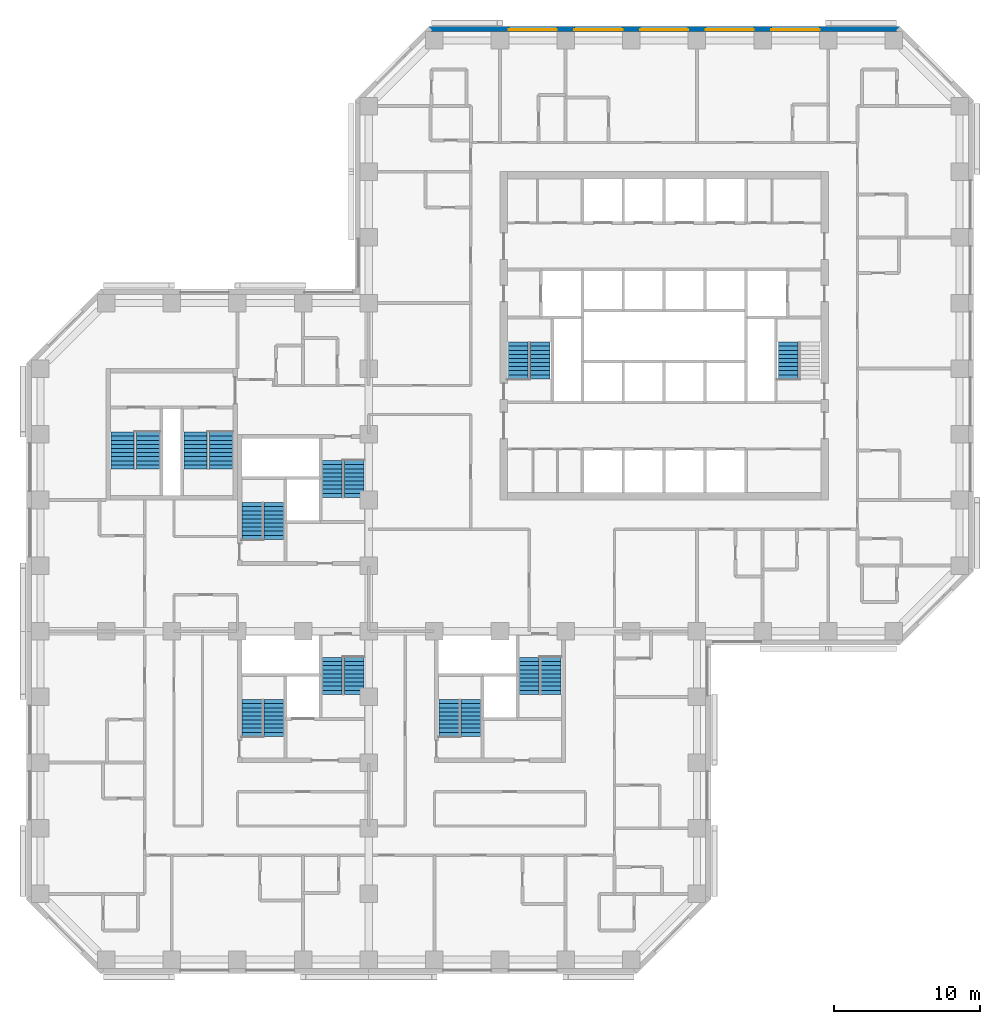
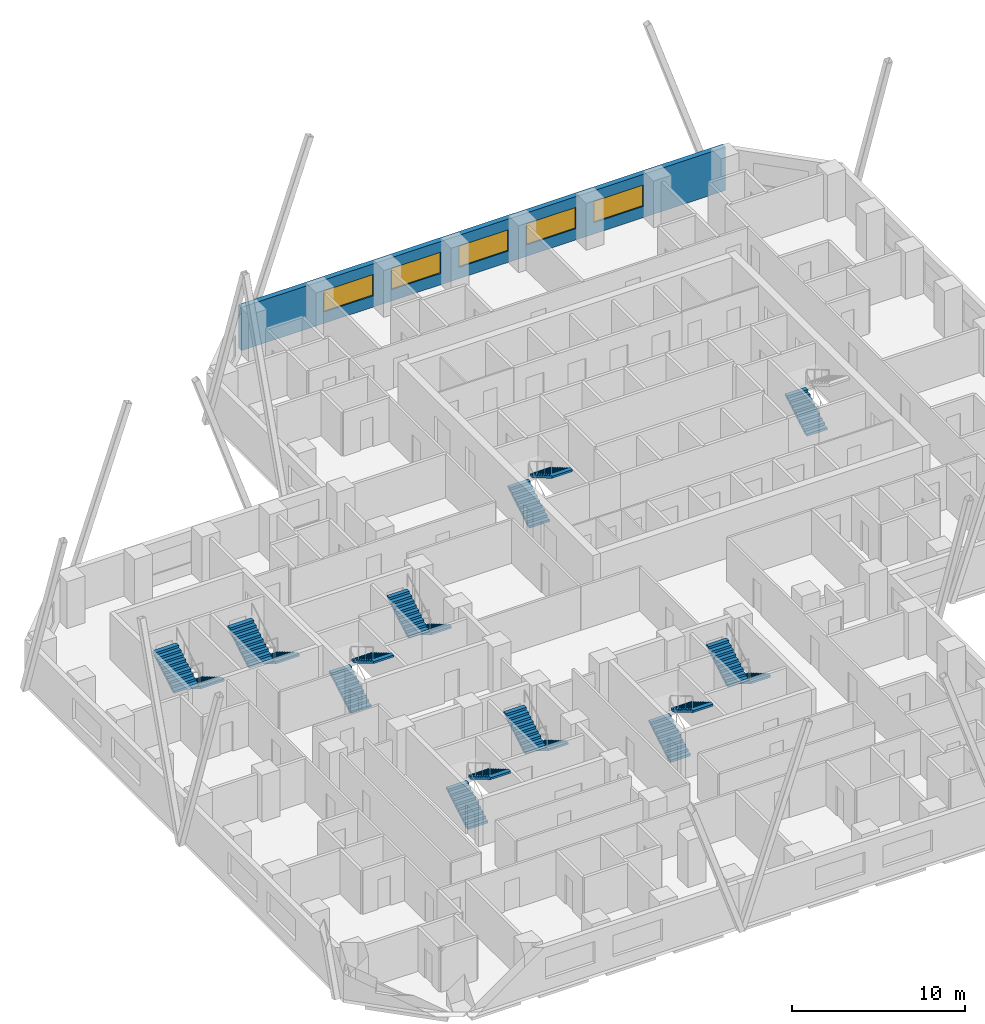
# One storey, part 11 of 13: 19 stair flights, 5 windows, 1 wall, 5 openings, 10 elements without a shape of their own.
"""IFC4 building model written with IfcOpenShell, lengths in metres."""

from ifc_helpers import new_model, si_unit, direction, frame, frame_2d, origin, place, context, subcontext, project, spatial, polyline, rectangle, outline, extrude, material, layer, layer_set, constituent, constituent_set, type_object, element, fill, aggregate, save


model = new_model("IFC4")

# Units and contexts
model_context = context("Model", 3, precision=1e-05, world=origin(), true_north=direction((0.0, 1.0)))
body_context = subcontext(model_context, "Body", "Model", "MODEL_VIEW")
ifc_project = project(units=[si_unit("LENGTHUNIT", "METRE"), si_unit("AREAUNIT", "SQUARE_METRE"), si_unit("VOLUMEUNIT", "CUBIC_METRE"), si_unit("PLANEANGLEUNIT", "RADIAN"), si_unit("MASSUNIT", "GRAM", prefix="KILO")], contexts=[model_context])

# Site, building, storey
site_placement = place(None, origin())
site = spatial("IfcSite", under=ifc_project, at=site_placement, CompositionType="ELEMENT")
building_placement = place(site_placement, origin())
building = spatial("IfcBuilding", under=site, at=building_placement, Name="Quoin Convention Tower", CompositionType="ELEMENT")
storey_placement = place(building_placement, frame((0.0, 0.0, 39.60009765625)))
storey = spatial("IfcBuildingStorey", under=building, at=storey_placement, Name="L09", CompositionType="ELEMENT", Elevation=39.60009765625)

# Wall, openings, windows
ifc_material_1 = material(Name="Brick masonry", Category="masonry")
ifc_layer = layer(ifc_material_1, 0.35009765625)
ifc_layer_set = layer_set([ifc_layer], Name="Brick masonry")
wall_type = type_object("IfcWallType", Name="Brick facade wall", PredefinedType="STANDARD", material=ifc_layer_set)
wall_placement = place(storey_placement, frame((72.3935546875, 81.77490234375, 0.0), z_axis=(0.0, 0.0, 1.0), x_axis=(-1.0, 0.0, 0.0)))
wall = element("IfcWall", 1, at=wall_placement, inside=storey, type_object=wall_type, Name="fw-L09-72000_81000", PredefinedType="STANDARD", context=body_context, shape_type="SweptSolid", body=[
    extrude(rectangle(XDim=32.287109375, YDim=0.35009765625, at=frame_2d((16.1435546875, 0.0))), origin(), (0.0, 0.0, 1.0), 3.054931640625),
])
opening_1_placement = place(wall_placement, frame((5.493408203125, 0.0, 0.800048828125)))
opening_1 = element("IfcOpeningElement", 2, at=opening_1_placement, cuts=wall, Name="Opening W-01", PredefinedType="OPENING", context=body_context, shape_type="SweptSolid", body=[
    extrude(rectangle(XDim=3.300048828125, YDim=1.5, at=frame_2d((1.64990234375, 0.75))), frame((0.0, 0.18505859375, 0.0), z_axis=(0.0, -1.0, 0.0), x_axis=(1.0, 0.0, 0.0)), (0.0, 0.0, 1.0), 0.3701171875),
])
opening_2_placement = place(wall_placement, frame((9.993408203125, 0.0, 0.800048828125)))
opening_2 = element("IfcOpeningElement", 3, at=opening_2_placement, cuts=wall, Name="Opening W-01", PredefinedType="OPENING", context=body_context, shape_type="SweptSolid", body=[
    extrude(rectangle(XDim=3.300048828125, YDim=1.5, at=frame_2d((1.64990234375, 0.75))), frame((0.0, 0.18505859375, 0.0), z_axis=(0.0, -1.0, 0.0), x_axis=(1.0, 0.0, 0.0)), (0.0, 0.0, 1.0), 0.3701171875),
])
opening_3_placement = place(wall_placement, frame((14.493408203125, 0.0, 0.800048828125)))
opening_3 = element("IfcOpeningElement", 4, at=opening_3_placement, cuts=wall, Name="Opening W-01", PredefinedType="OPENING", context=body_context, shape_type="SweptSolid", body=[
    extrude(rectangle(XDim=3.300048828125, YDim=1.5, at=frame_2d((1.64990234375, 0.75))), frame((0.0, 0.18505859375, 0.0), z_axis=(0.0, -1.0, 0.0), x_axis=(1.0, 0.0, 0.0)), (0.0, 0.0, 1.0), 0.3701171875),
])
opening_4_placement = place(wall_placement, frame((18.993408203125, 0.0, 0.800048828125)))
opening_4 = element("IfcOpeningElement", 5, at=opening_4_placement, cuts=wall, Name="Opening W-01", PredefinedType="OPENING", context=body_context, shape_type="SweptSolid", body=[
    extrude(rectangle(XDim=3.300048828125, YDim=1.5, at=frame_2d((1.64990234375, 0.75))), frame((0.0, 0.18505859375, 0.0), z_axis=(0.0, -1.0, 0.0), x_axis=(1.0, 0.0, 0.0)), (0.0, 0.0, 1.0), 0.3701171875),
])
opening_5_placement = place(wall_placement, frame((23.493408203125, 0.0, 0.800048828125)))
opening_5 = element("IfcOpeningElement", 6, at=opening_5_placement, cuts=wall, Name="Opening W-01", PredefinedType="OPENING", context=body_context, shape_type="SweptSolid", body=[
    extrude(rectangle(XDim=3.300048828125, YDim=1.5, at=frame_2d((1.64990234375, 0.75))), frame((0.0, 0.18505859375, 0.0), z_axis=(0.0, -1.0, 0.0), x_axis=(1.0, 0.0, 0.0)), (0.0, 0.0, 1.0), 0.3701171875),
])
ifc_material_2 = material(Name="Aluminium", Category="aluminium")
ifc_constituent_1 = constituent(ifc_material_2, Name="Frame")
ifc_material_3 = material(Name="Insulated glass", Category="glass")
ifc_constituent_2 = constituent(ifc_material_3, Name="Glazing")
ifc_constituent_set = constituent_set(constituents=[ifc_constituent_1, ifc_constituent_2], Name="Aluminium")
window_type = type_object("IfcWindowType", Name="Hotel strip window", PartitioningType="DOUBLE_PANEL_VERTICAL", PredefinedType="WINDOW", material=ifc_constituent_set)
window_1_placement = place(opening_1_placement, origin())
window_1 = element("IfcWindow", 7, at=window_1_placement, inside=storey, type_object=window_type, Name="win-L09-65250_81775", OverallHeight=1.5, OverallWidth=3.300048828125, PartitioningType="SINGLE_PANEL", PredefinedType="WINDOW", context=body_context, shape_type="SweptSolid", body=[
    extrude(rectangle(XDim=3.300048828125, YDim=1.5, at=frame_2d((1.64990234375, 0.75))), frame((0.0, 0.0849609375, 0.0), z_axis=(0.0, -1.0, 0.0), x_axis=(1.0, 0.0, 0.0)), (0.0, 0.0, 1.0), 0.06005859375),
])
fill(opening_1, window_1)
window_2_placement = place(opening_2_placement, origin())
window_2 = element("IfcWindow", 8, at=window_2_placement, inside=storey, type_object=window_type, Name="win-L09-60750_81775", OverallHeight=1.5, OverallWidth=3.300048828125, PartitioningType="SINGLE_PANEL", PredefinedType="WINDOW", context=body_context, shape_type="SweptSolid", body=[
    extrude(rectangle(XDim=3.300048828125, YDim=1.5, at=frame_2d((1.64990234375, 0.75))), frame((0.0, 0.0849609375, 0.0), z_axis=(0.0, -1.0, 0.0), x_axis=(1.0, 0.0, 0.0)), (0.0, 0.0, 1.0), 0.06005859375),
])
fill(opening_2, window_2)
window_3_placement = place(opening_3_placement, origin())
window_3 = element("IfcWindow", 9, at=window_3_placement, inside=storey, type_object=window_type, Name="win-L09-56250_81775", OverallHeight=1.5, OverallWidth=3.300048828125, PartitioningType="SINGLE_PANEL", PredefinedType="WINDOW", context=body_context, shape_type="SweptSolid", body=[
    extrude(rectangle(XDim=3.300048828125, YDim=1.5, at=frame_2d((1.64990234375, 0.75))), frame((0.0, 0.0849609375, 0.0), z_axis=(0.0, -1.0, 0.0), x_axis=(1.0, 0.0, 0.0)), (0.0, 0.0, 1.0), 0.06005859375),
])
fill(opening_3, window_3)
window_4_placement = place(opening_4_placement, origin())
window_4 = element("IfcWindow", 10, at=window_4_placement, inside=storey, type_object=window_type, Name="win-L09-51750_81775", OverallHeight=1.5, OverallWidth=3.300048828125, PartitioningType="SINGLE_PANEL", PredefinedType="WINDOW", context=body_context, shape_type="SweptSolid", body=[
    extrude(rectangle(XDim=3.300048828125, YDim=1.5, at=frame_2d((1.64990234375, 0.75))), frame((0.0, 0.0849609375, 0.0), z_axis=(0.0, -1.0, 0.0), x_axis=(1.0, 0.0, 0.0)), (0.0, 0.0, 1.0), 0.06005859375),
])
fill(opening_4, window_4)
window_5_placement = place(opening_5_placement, origin())
window_5 = element("IfcWindow", 11, at=window_5_placement, inside=storey, type_object=window_type, Name="win-L09-47250_81775", OverallHeight=1.5, OverallWidth=3.300048828125, PartitioningType="SINGLE_PANEL", PredefinedType="WINDOW", context=body_context, shape_type="SweptSolid", body=[
    extrude(rectangle(XDim=3.300048828125, YDim=1.5, at=frame_2d((1.64990234375, 0.75))), frame((0.0, 0.0849609375, 0.0), z_axis=(0.0, -1.0, 0.0), x_axis=(1.0, 0.0, 0.0)), (0.0, 0.0, 1.0), 0.06005859375),
])
fill(opening_5, window_5)

# Stair, stair flights
ifc_material_4 = material(Name="Concrete C40", Category="concrete")
stair_type_1 = type_object("IfcStairType", Name="Exit stair two-flight 1350", PredefinedType="HALF_TURN_STAIR", material=ifc_material_4)
stair_1_placement = place(storey_placement, origin())
stair_1 = element("IfcStair", 12, at=stair_1_placement, inside=storey, type_object=stair_type_1, Name="SD1 L09", PredefinedType="HALF_TURN_STAIR")
stair_flight_type_1 = type_object("IfcStairFlightType", Name="Stair flight 1350", PredefinedType="STRAIGHT", material=ifc_material_4)
stair_flight_1_placement = place(storey_placement, frame((46.25, 57.800048828125, 0.0), z_axis=(0.0, 0.0, 1.0), x_axis=(0.0, 1.0, 0.0)))
stair_flight_1 = element("IfcStairFlight", 13, at=stair_flight_1_placement, type_object=stair_flight_type_1, Name="ST1 flight 1", NumberOfRisers=10, NumberOfTreads=9, PredefinedType="STRAIGHT", RiserHeight=0.165, TreadLength=0.28, context=body_context, shape_type="SweptSolid", body=[
    extrude(outline(polyline([(0.0, 0.0), (0.0, 0.1650390625), (0.280029296875, 0.1650390625), (0.280029296875, 0.330078125), (0.56005859375, 0.330078125), (0.56005859375, 0.4951171875), (0.840087890625, 0.4951171875), (0.840087890625, 0.659912109375), (1.1201171875, 0.659912109375), (1.1201171875, 0.824951171875), (1.39990234375, 0.824951171875), (1.39990234375, 0.989990234375), (1.679931640625, 0.989990234375), (1.679931640625, 1.155029296875), (1.9599609375, 1.155029296875), (1.9599609375, 1.320068359375), (2.239990234375, 1.320068359375), (2.239990234375, 1.485107421875), (2.52001953125, 1.485107421875), (2.52001953125, 1.64990234375), (2.52001953125, 1.345458984375), (0.236572265625, 0.0), (0.0, 0.0)])), frame((0.0, 0.675048828125, 0.0), z_axis=(0.0, -1.0, 0.0), x_axis=(1.0, 0.0, 0.0)), (0.0, 0.0, 1.0), 1.35009765625),
])
stair_flight_2_placement = place(storey_placement, frame((47.75, 60.320068359375, 1.64990234375), z_axis=(0.0, 0.0, 1.0), x_axis=(0.0, -1.0, 0.0)))
stair_flight_2 = element("IfcStairFlight", 14, at=stair_flight_2_placement, type_object=stair_flight_type_1, Name="ST1 flight 2", NumberOfRisers=10, NumberOfTreads=9, PredefinedType="STRAIGHT", RiserHeight=0.165, TreadLength=0.28, context=body_context, shape_type="SweptSolid", body=[
    extrude(outline(polyline([(0.0, 0.0), (0.0, 0.1650390625), (0.280029296875, 0.1650390625), (0.280029296875, 0.330078125), (0.56005859375, 0.330078125), (0.56005859375, 0.4951171875), (0.840087890625, 0.4951171875), (0.840087890625, 0.659912109375), (1.1201171875, 0.659912109375), (1.1201171875, 0.824951171875), (1.39990234375, 0.824951171875), (1.39990234375, 0.989990234375), (1.679931640625, 0.989990234375), (1.679931640625, 1.155029296875), (1.9599609375, 1.155029296875), (1.9599609375, 1.320068359375), (2.239990234375, 1.320068359375), (2.239990234375, 1.485107421875), (2.52001953125, 1.485107421875), (2.52001953125, 1.64990234375), (2.52001953125, 1.345458984375), (0.236572265625, 0.0), (0.0, 0.0)])), frame((0.0, 0.675048828125, 0.0), z_axis=(0.0, -1.0, 0.0), x_axis=(1.0, 0.0, 0.0)), (0.0, 0.0, 1.0), 1.35009765625),
])
aggregate(stair_1, [stair_flight_1, stair_flight_2])

# Stair, stair flight
stair_2_placement = place(storey_placement, origin())
stair_2 = element("IfcStair", 15, at=stair_2_placement, inside=storey, type_object=stair_type_1, Name="SD2 L09", PredefinedType="HALF_TURN_STAIR")
stair_flight_3_placement = place(storey_placement, frame((64.75, 57.800048828125, 0.0), z_axis=(0.0, 0.0, 1.0), x_axis=(0.0, 1.0, 0.0)))
stair_flight_3 = element("IfcStairFlight", 16, at=stair_flight_3_placement, type_object=stair_flight_type_1, Name="ST2 flight 1", NumberOfRisers=10, NumberOfTreads=9, PredefinedType="STRAIGHT", RiserHeight=0.165, TreadLength=0.28, context=body_context, shape_type="SweptSolid", body=[
    extrude(outline(polyline([(0.0, 0.0), (0.0, 0.1650390625), (0.280029296875, 0.1650390625), (0.280029296875, 0.330078125), (0.56005859375, 0.330078125), (0.56005859375, 0.4951171875), (0.840087890625, 0.4951171875), (0.840087890625, 0.659912109375), (1.1201171875, 0.659912109375), (1.1201171875, 0.824951171875), (1.39990234375, 0.824951171875), (1.39990234375, 0.989990234375), (1.679931640625, 0.989990234375), (1.679931640625, 1.155029296875), (1.9599609375, 1.155029296875), (1.9599609375, 1.320068359375), (2.239990234375, 1.320068359375), (2.239990234375, 1.485107421875), (2.52001953125, 1.485107421875), (2.52001953125, 1.64990234375), (2.52001953125, 1.345458984375), (0.236572265625, 0.0), (0.0, 0.0)])), frame((0.0, 0.675048828125, 0.0), z_axis=(0.0, -1.0, 0.0), x_axis=(1.0, 0.0, 0.0)), (0.0, 0.0, 1.0), 1.35009765625),
])
aggregate(stair_2, [stair_flight_3])

# Stair, stair flights
stair_3_placement = place(storey_placement, origin())
stair_3 = element("IfcStair", 17, at=stair_3_placement, inside=storey, type_object=stair_type_1, Name="SD3 L09", PredefinedType="HALF_TURN_STAIR")
stair_flight_4_placement = place(storey_placement, frame((28.0, 46.800048828125, 0.0), z_axis=(0.0, 0.0, 1.0), x_axis=(0.0, 1.0, 0.0)))
stair_flight_4 = element("IfcStairFlight", 18, at=stair_flight_4_placement, type_object=stair_flight_type_1, Name="ST3 flight 1", NumberOfRisers=10, NumberOfTreads=9, PredefinedType="STRAIGHT", RiserHeight=0.165, TreadLength=0.28, context=body_context, shape_type="SweptSolid", body=[
    extrude(outline(polyline([(0.0, 0.0), (0.0, 0.1650390625), (0.280029296875, 0.1650390625), (0.280029296875, 0.330078125), (0.56005859375, 0.330078125), (0.56005859375, 0.4951171875), (0.840087890625, 0.4951171875), (0.840087890625, 0.659912109375), (1.1201171875, 0.659912109375), (1.1201171875, 0.824951171875), (1.39990234375, 0.824951171875), (1.39990234375, 0.989990234375), (1.679931640625, 0.989990234375), (1.679931640625, 1.155029296875), (1.9599609375, 1.155029296875), (1.9599609375, 1.320068359375), (2.239990234375, 1.320068359375), (2.239990234375, 1.485107421875), (2.52001953125, 1.485107421875), (2.52001953125, 1.64990234375), (2.52001953125, 1.345458984375), (0.236572265625, 0.0), (0.0, 0.0)])), frame((0.0, 0.675048828125, 0.0), z_axis=(0.0, -1.0, 0.0), x_axis=(1.0, 0.0, 0.0)), (0.0, 0.0, 1.0), 1.35009765625),
])
stair_flight_5_placement = place(storey_placement, frame((29.5, 49.320068359375, 1.64990234375), z_axis=(0.0, 0.0, 1.0), x_axis=(0.0, -1.0, 0.0)))
stair_flight_5 = element("IfcStairFlight", 19, at=stair_flight_5_placement, type_object=stair_flight_type_1, Name="ST3 flight 2", NumberOfRisers=10, NumberOfTreads=9, PredefinedType="STRAIGHT", RiserHeight=0.165, TreadLength=0.28, context=body_context, shape_type="SweptSolid", body=[
    extrude(outline(polyline([(0.0, 0.0), (0.0, 0.1650390625), (0.280029296875, 0.1650390625), (0.280029296875, 0.330078125), (0.56005859375, 0.330078125), (0.56005859375, 0.4951171875), (0.840087890625, 0.4951171875), (0.840087890625, 0.659912109375), (1.1201171875, 0.659912109375), (1.1201171875, 0.824951171875), (1.39990234375, 0.824951171875), (1.39990234375, 0.989990234375), (1.679931640625, 0.989990234375), (1.679931640625, 1.155029296875), (1.9599609375, 1.155029296875), (1.9599609375, 1.320068359375), (2.239990234375, 1.320068359375), (2.239990234375, 1.485107421875), (2.52001953125, 1.485107421875), (2.52001953125, 1.64990234375), (2.52001953125, 1.345458984375), (0.236572265625, 0.0), (0.0, 0.0)])), frame((0.0, 0.675048828125, 0.0), z_axis=(0.0, -1.0, 0.0), x_axis=(1.0, 0.0, 0.0)), (0.0, 0.0, 1.0), 1.35009765625),
])
aggregate(stair_3, [stair_flight_4, stair_flight_5])

stair_4_placement = place(storey_placement, origin())
stair_4 = element("IfcStair", 20, at=stair_4_placement, inside=storey, type_object=stair_type_1, Name="SD4 L09", PredefinedType="HALF_TURN_STAIR")
stair_flight_6_placement = place(storey_placement, frame((35.0, 52.199951171875, 0.0), z_axis=(0.0, 0.0, 1.0), x_axis=(0.0, -1.0, 0.0)))
stair_flight_6 = element("IfcStairFlight", 21, at=stair_flight_6_placement, type_object=stair_flight_type_1, Name="ST4 flight 1", NumberOfRisers=10, NumberOfTreads=9, PredefinedType="STRAIGHT", RiserHeight=0.165, TreadLength=0.28, context=body_context, shape_type="SweptSolid", body=[
    extrude(outline(polyline([(0.0, 0.0), (0.0, 0.1650390625), (0.280029296875, 0.1650390625), (0.280029296875, 0.330078125), (0.56005859375, 0.330078125), (0.56005859375, 0.4951171875), (0.840087890625, 0.4951171875), (0.840087890625, 0.659912109375), (1.1201171875, 0.659912109375), (1.1201171875, 0.824951171875), (1.39990234375, 0.824951171875), (1.39990234375, 0.989990234375), (1.679931640625, 0.989990234375), (1.679931640625, 1.155029296875), (1.9599609375, 1.155029296875), (1.9599609375, 1.320068359375), (2.239990234375, 1.320068359375), (2.239990234375, 1.485107421875), (2.52001953125, 1.485107421875), (2.52001953125, 1.64990234375), (2.52001953125, 1.345458984375), (0.236572265625, 0.0), (0.0, 0.0)])), frame((0.0, 0.675048828125, 0.0), z_axis=(0.0, -1.0, 0.0), x_axis=(1.0, 0.0, 0.0)), (0.0, 0.0, 1.0), 1.35009765625),
])
stair_flight_7_placement = place(storey_placement, frame((33.5, 49.679931640625, 1.64990234375), z_axis=(0.0, 0.0, 1.0), x_axis=(0.0, 1.0, 0.0)))
stair_flight_7 = element("IfcStairFlight", 22, at=stair_flight_7_placement, type_object=stair_flight_type_1, Name="ST4 flight 2", NumberOfRisers=10, NumberOfTreads=9, PredefinedType="STRAIGHT", RiserHeight=0.165, TreadLength=0.28, context=body_context, shape_type="SweptSolid", body=[
    extrude(outline(polyline([(0.0, 0.0), (0.0, 0.1650390625), (0.280029296875, 0.1650390625), (0.280029296875, 0.330078125), (0.56005859375, 0.330078125), (0.56005859375, 0.4951171875), (0.840087890625, 0.4951171875), (0.840087890625, 0.659912109375), (1.1201171875, 0.659912109375), (1.1201171875, 0.824951171875), (1.39990234375, 0.824951171875), (1.39990234375, 0.989990234375), (1.679931640625, 0.989990234375), (1.679931640625, 1.155029296875), (1.9599609375, 1.155029296875), (1.9599609375, 1.320068359375), (2.239990234375, 1.320068359375), (2.239990234375, 1.485107421875), (2.52001953125, 1.485107421875), (2.52001953125, 1.64990234375), (2.52001953125, 1.345458984375), (0.236572265625, 0.0), (0.0, 0.0)])), frame((0.0, 0.675048828125, 0.0), z_axis=(0.0, -1.0, 0.0), x_axis=(1.0, 0.0, 0.0)), (0.0, 0.0, 1.0), 1.35009765625),
])
aggregate(stair_4, [stair_flight_6, stair_flight_7])

stair_5_placement = place(storey_placement, origin())
stair_5 = element("IfcStair", 23, at=stair_5_placement, inside=storey, type_object=stair_type_1, Name="SD5 L09", PredefinedType="HALF_TURN_STAIR")
stair_flight_8_placement = place(storey_placement, frame((41.5, 33.300048828125, 0.0), z_axis=(0.0, 0.0, 1.0), x_axis=(0.0, 1.0, 0.0)))
stair_flight_8 = element("IfcStairFlight", 24, at=stair_flight_8_placement, type_object=stair_flight_type_1, Name="ST5 flight 1", NumberOfRisers=10, NumberOfTreads=9, PredefinedType="STRAIGHT", RiserHeight=0.165, TreadLength=0.28, context=body_context, shape_type="SweptSolid", body=[
    extrude(outline(polyline([(0.0, 0.0), (0.0, 0.1650390625), (0.280029296875, 0.1650390625), (0.280029296875, 0.330078125), (0.56005859375, 0.330078125), (0.56005859375, 0.4951171875), (0.840087890625, 0.4951171875), (0.840087890625, 0.659912109375), (1.1201171875, 0.659912109375), (1.1201171875, 0.824951171875), (1.39990234375, 0.824951171875), (1.39990234375, 0.989990234375), (1.679931640625, 0.989990234375), (1.679931640625, 1.155029296875), (1.9599609375, 1.155029296875), (1.9599609375, 1.320068359375), (2.239990234375, 1.320068359375), (2.239990234375, 1.485107421875), (2.52001953125, 1.485107421875), (2.52001953125, 1.64990234375), (2.52001953125, 1.345458984375), (0.236572265625, 0.0), (0.0, 0.0)])), frame((0.0, 0.675048828125, 0.0), z_axis=(0.0, -1.0, 0.0), x_axis=(1.0, 0.0, 0.0)), (0.0, 0.0, 1.0), 1.35009765625),
])
stair_flight_9_placement = place(storey_placement, frame((43.0, 35.820068359375, 1.64990234375), z_axis=(0.0, 0.0, 1.0), x_axis=(0.0, -1.0, 0.0)))
stair_flight_9 = element("IfcStairFlight", 25, at=stair_flight_9_placement, type_object=stair_flight_type_1, Name="ST5 flight 2", NumberOfRisers=10, NumberOfTreads=9, PredefinedType="STRAIGHT", RiserHeight=0.165, TreadLength=0.28, context=body_context, shape_type="SweptSolid", body=[
    extrude(outline(polyline([(0.0, 0.0), (0.0, 0.1650390625), (0.280029296875, 0.1650390625), (0.280029296875, 0.330078125), (0.56005859375, 0.330078125), (0.56005859375, 0.4951171875), (0.840087890625, 0.4951171875), (0.840087890625, 0.659912109375), (1.1201171875, 0.659912109375), (1.1201171875, 0.824951171875), (1.39990234375, 0.824951171875), (1.39990234375, 0.989990234375), (1.679931640625, 0.989990234375), (1.679931640625, 1.155029296875), (1.9599609375, 1.155029296875), (1.9599609375, 1.320068359375), (2.239990234375, 1.320068359375), (2.239990234375, 1.485107421875), (2.52001953125, 1.485107421875), (2.52001953125, 1.64990234375), (2.52001953125, 1.345458984375), (0.236572265625, 0.0), (0.0, 0.0)])), frame((0.0, 0.675048828125, 0.0), z_axis=(0.0, -1.0, 0.0), x_axis=(1.0, 0.0, 0.0)), (0.0, 0.0, 1.0), 1.35009765625),
])
aggregate(stair_5, [stair_flight_8, stair_flight_9])

stair_6_placement = place(storey_placement, origin())
stair_6 = element("IfcStair", 26, at=stair_6_placement, inside=storey, type_object=stair_type_1, Name="SD6 L09", PredefinedType="HALF_TURN_STAIR")
stair_flight_10_placement = place(storey_placement, frame((48.5, 38.699951171875, 0.0), z_axis=(0.0, 0.0, 1.0), x_axis=(0.0, -1.0, 0.0)))
stair_flight_10 = element("IfcStairFlight", 27, at=stair_flight_10_placement, type_object=stair_flight_type_1, Name="ST6 flight 1", NumberOfRisers=10, NumberOfTreads=9, PredefinedType="STRAIGHT", RiserHeight=0.165, TreadLength=0.28, context=body_context, shape_type="SweptSolid", body=[
    extrude(outline(polyline([(0.0, 0.0), (0.0, 0.1650390625), (0.280029296875, 0.1650390625), (0.280029296875, 0.330078125), (0.56005859375, 0.330078125), (0.56005859375, 0.4951171875), (0.840087890625, 0.4951171875), (0.840087890625, 0.659912109375), (1.1201171875, 0.659912109375), (1.1201171875, 0.824951171875), (1.39990234375, 0.824951171875), (1.39990234375, 0.989990234375), (1.679931640625, 0.989990234375), (1.679931640625, 1.155029296875), (1.9599609375, 1.155029296875), (1.9599609375, 1.320068359375), (2.239990234375, 1.320068359375), (2.239990234375, 1.485107421875), (2.52001953125, 1.485107421875), (2.52001953125, 1.64990234375), (2.52001953125, 1.345458984375), (0.236572265625, 0.0), (0.0, 0.0)])), frame((0.0, 0.675048828125, 0.0), z_axis=(0.0, -1.0, 0.0), x_axis=(1.0, 0.0, 0.0)), (0.0, 0.0, 1.0), 1.35009765625),
])
stair_flight_11_placement = place(storey_placement, frame((47.0, 36.179931640625, 1.64990234375), z_axis=(0.0, 0.0, 1.0), x_axis=(0.0, 1.0, 0.0)))
stair_flight_11 = element("IfcStairFlight", 28, at=stair_flight_11_placement, type_object=stair_flight_type_1, Name="ST6 flight 2", NumberOfRisers=10, NumberOfTreads=9, PredefinedType="STRAIGHT", RiserHeight=0.165, TreadLength=0.28, context=body_context, shape_type="SweptSolid", body=[
    extrude(outline(polyline([(0.0, 0.0), (0.0, 0.1650390625), (0.280029296875, 0.1650390625), (0.280029296875, 0.330078125), (0.56005859375, 0.330078125), (0.56005859375, 0.4951171875), (0.840087890625, 0.4951171875), (0.840087890625, 0.659912109375), (1.1201171875, 0.659912109375), (1.1201171875, 0.824951171875), (1.39990234375, 0.824951171875), (1.39990234375, 0.989990234375), (1.679931640625, 0.989990234375), (1.679931640625, 1.155029296875), (1.9599609375, 1.155029296875), (1.9599609375, 1.320068359375), (2.239990234375, 1.320068359375), (2.239990234375, 1.485107421875), (2.52001953125, 1.485107421875), (2.52001953125, 1.64990234375), (2.52001953125, 1.345458984375), (0.236572265625, 0.0), (0.0, 0.0)])), frame((0.0, 0.675048828125, 0.0), z_axis=(0.0, -1.0, 0.0), x_axis=(1.0, 0.0, 0.0)), (0.0, 0.0, 1.0), 1.35009765625),
])
aggregate(stair_6, [stair_flight_10, stair_flight_11])

stair_7_placement = place(storey_placement, origin())
stair_7 = element("IfcStair", 29, at=stair_7_placement, inside=storey, type_object=stair_type_1, Name="SD7 L09", PredefinedType="HALF_TURN_STAIR")
stair_flight_12_placement = place(storey_placement, frame((28.0, 33.300048828125, 0.0), z_axis=(0.0, 0.0, 1.0), x_axis=(0.0, 1.0, 0.0)))
stair_flight_12 = element("IfcStairFlight", 30, at=stair_flight_12_placement, type_object=stair_flight_type_1, Name="ST7 flight 1", NumberOfRisers=10, NumberOfTreads=9, PredefinedType="STRAIGHT", RiserHeight=0.165, TreadLength=0.28, context=body_context, shape_type="SweptSolid", body=[
    extrude(outline(polyline([(0.0, 0.0), (0.0, 0.1650390625), (0.280029296875, 0.1650390625), (0.280029296875, 0.330078125), (0.56005859375, 0.330078125), (0.56005859375, 0.4951171875), (0.840087890625, 0.4951171875), (0.840087890625, 0.659912109375), (1.1201171875, 0.659912109375), (1.1201171875, 0.824951171875), (1.39990234375, 0.824951171875), (1.39990234375, 0.989990234375), (1.679931640625, 0.989990234375), (1.679931640625, 1.155029296875), (1.9599609375, 1.155029296875), (1.9599609375, 1.320068359375), (2.239990234375, 1.320068359375), (2.239990234375, 1.485107421875), (2.52001953125, 1.485107421875), (2.52001953125, 1.64990234375), (2.52001953125, 1.345458984375), (0.236572265625, 0.0), (0.0, 0.0)])), frame((0.0, 0.675048828125, 0.0), z_axis=(0.0, -1.0, 0.0), x_axis=(1.0, 0.0, 0.0)), (0.0, 0.0, 1.0), 1.35009765625),
])
stair_flight_13_placement = place(storey_placement, frame((29.5, 35.820068359375, 1.64990234375), z_axis=(0.0, 0.0, 1.0), x_axis=(0.0, -1.0, 0.0)))
stair_flight_13 = element("IfcStairFlight", 31, at=stair_flight_13_placement, type_object=stair_flight_type_1, Name="ST7 flight 2", NumberOfRisers=10, NumberOfTreads=9, PredefinedType="STRAIGHT", RiserHeight=0.165, TreadLength=0.28, context=body_context, shape_type="SweptSolid", body=[
    extrude(outline(polyline([(0.0, 0.0), (0.0, 0.1650390625), (0.280029296875, 0.1650390625), (0.280029296875, 0.330078125), (0.56005859375, 0.330078125), (0.56005859375, 0.4951171875), (0.840087890625, 0.4951171875), (0.840087890625, 0.659912109375), (1.1201171875, 0.659912109375), (1.1201171875, 0.824951171875), (1.39990234375, 0.824951171875), (1.39990234375, 0.989990234375), (1.679931640625, 0.989990234375), (1.679931640625, 1.155029296875), (1.9599609375, 1.155029296875), (1.9599609375, 1.320068359375), (2.239990234375, 1.320068359375), (2.239990234375, 1.485107421875), (2.52001953125, 1.485107421875), (2.52001953125, 1.64990234375), (2.52001953125, 1.345458984375), (0.236572265625, 0.0), (0.0, 0.0)])), frame((0.0, 0.675048828125, 0.0), z_axis=(0.0, -1.0, 0.0), x_axis=(1.0, 0.0, 0.0)), (0.0, 0.0, 1.0), 1.35009765625),
])
aggregate(stair_7, [stair_flight_12, stair_flight_13])

stair_8_placement = place(storey_placement, origin())
stair_8 = element("IfcStair", 32, at=stair_8_placement, inside=storey, type_object=stair_type_1, Name="SD8 L09", PredefinedType="HALF_TURN_STAIR")
stair_flight_14_placement = place(storey_placement, frame((35.0, 38.699951171875, 0.0), z_axis=(0.0, 0.0, 1.0), x_axis=(0.0, -1.0, 0.0)))
stair_flight_14 = element("IfcStairFlight", 33, at=stair_flight_14_placement, type_object=stair_flight_type_1, Name="ST8 flight 1", NumberOfRisers=10, NumberOfTreads=9, PredefinedType="STRAIGHT", RiserHeight=0.165, TreadLength=0.28, context=body_context, shape_type="SweptSolid", body=[
    extrude(outline(polyline([(0.0, 0.0), (0.0, 0.1650390625), (0.280029296875, 0.1650390625), (0.280029296875, 0.330078125), (0.56005859375, 0.330078125), (0.56005859375, 0.4951171875), (0.840087890625, 0.4951171875), (0.840087890625, 0.659912109375), (1.1201171875, 0.659912109375), (1.1201171875, 0.824951171875), (1.39990234375, 0.824951171875), (1.39990234375, 0.989990234375), (1.679931640625, 0.989990234375), (1.679931640625, 1.155029296875), (1.9599609375, 1.155029296875), (1.9599609375, 1.320068359375), (2.239990234375, 1.320068359375), (2.239990234375, 1.485107421875), (2.52001953125, 1.485107421875), (2.52001953125, 1.64990234375), (2.52001953125, 1.345458984375), (0.236572265625, 0.0), (0.0, 0.0)])), frame((0.0, 0.675048828125, 0.0), z_axis=(0.0, -1.0, 0.0), x_axis=(1.0, 0.0, 0.0)), (0.0, 0.0, 1.0), 1.35009765625),
])
stair_flight_15_placement = place(storey_placement, frame((33.5, 36.179931640625, 1.64990234375), z_axis=(0.0, 0.0, 1.0), x_axis=(0.0, 1.0, 0.0)))
stair_flight_15 = element("IfcStairFlight", 34, at=stair_flight_15_placement, type_object=stair_flight_type_1, Name="ST8 flight 2", NumberOfRisers=10, NumberOfTreads=9, PredefinedType="STRAIGHT", RiserHeight=0.165, TreadLength=0.28, context=body_context, shape_type="SweptSolid", body=[
    extrude(outline(polyline([(0.0, 0.0), (0.0, 0.1650390625), (0.280029296875, 0.1650390625), (0.280029296875, 0.330078125), (0.56005859375, 0.330078125), (0.56005859375, 0.4951171875), (0.840087890625, 0.4951171875), (0.840087890625, 0.659912109375), (1.1201171875, 0.659912109375), (1.1201171875, 0.824951171875), (1.39990234375, 0.824951171875), (1.39990234375, 0.989990234375), (1.679931640625, 0.989990234375), (1.679931640625, 1.155029296875), (1.9599609375, 1.155029296875), (1.9599609375, 1.320068359375), (2.239990234375, 1.320068359375), (2.239990234375, 1.485107421875), (2.52001953125, 1.485107421875), (2.52001953125, 1.64990234375), (2.52001953125, 1.345458984375), (0.236572265625, 0.0), (0.0, 0.0)])), frame((0.0, 0.675048828125, 0.0), z_axis=(0.0, -1.0, 0.0), x_axis=(1.0, 0.0, 0.0)), (0.0, 0.0, 1.0), 1.35009765625),
])
aggregate(stair_8, [stair_flight_14, stair_flight_15])

stair_type_2 = type_object("IfcStairType", Name="Exit stair two-flight 1600", PredefinedType="HALF_TURN_STAIR", material=ifc_material_4)
stair_9_placement = place(storey_placement, origin())
stair_9 = element("IfcStair", 35, at=stair_9_placement, inside=storey, type_object=stair_type_2, Name="SD11 L09", PredefinedType="HALF_TURN_STAIR")
stair_flight_type_2 = type_object("IfcStairFlightType", Name="Stair flight 1600", PredefinedType="STRAIGHT", material=ifc_material_4)
stair_flight_16_placement = place(storey_placement, frame((20.875, 54.14990234375, 0.0), z_axis=(0.0, 0.0, 1.0), x_axis=(0.0, -1.0, 0.0)))
stair_flight_16 = element("IfcStairFlight", 36, at=stair_flight_16_placement, type_object=stair_flight_type_2, Name="ST11 flight 1", NumberOfRisers=10, NumberOfTreads=9, PredefinedType="STRAIGHT", RiserHeight=0.165, TreadLength=0.28, context=body_context, shape_type="SweptSolid", body=[
    extrude(outline(polyline([(0.0, 0.0), (0.0, 0.1650390625), (0.280029296875, 0.1650390625), (0.280029296875, 0.330078125), (0.56005859375, 0.330078125), (0.56005859375, 0.4951171875), (0.840087890625, 0.4951171875), (0.840087890625, 0.659912109375), (1.1201171875, 0.659912109375), (1.1201171875, 0.824951171875), (1.39990234375, 0.824951171875), (1.39990234375, 0.989990234375), (1.679931640625, 0.989990234375), (1.679931640625, 1.155029296875), (1.9599609375, 1.155029296875), (1.9599609375, 1.320068359375), (2.239990234375, 1.320068359375), (2.239990234375, 1.485107421875), (2.52001953125, 1.485107421875), (2.52001953125, 1.64990234375), (2.52001953125, 1.345458984375), (0.236572265625, 0.0), (0.0, 0.0)])), frame((0.0, 0.800048828125, 0.0), z_axis=(0.0, -1.0, 0.0), x_axis=(1.0, 0.0, 0.0)), (0.0, 0.0, 1.0), 1.60009765625),
])
stair_flight_17_placement = place(storey_placement, frame((19.125, 51.6298828125, 1.64990234375), z_axis=(0.0, 0.0, 1.0), x_axis=(0.0, 1.0, 0.0)))
stair_flight_17 = element("IfcStairFlight", 37, at=stair_flight_17_placement, type_object=stair_flight_type_2, Name="ST11 flight 2", NumberOfRisers=10, NumberOfTreads=9, PredefinedType="STRAIGHT", RiserHeight=0.165, TreadLength=0.28, context=body_context, shape_type="SweptSolid", body=[
    extrude(outline(polyline([(0.0, 0.0), (0.0, 0.1650390625), (0.280029296875, 0.1650390625), (0.280029296875, 0.330078125), (0.56005859375, 0.330078125), (0.56005859375, 0.4951171875), (0.840087890625, 0.4951171875), (0.840087890625, 0.659912109375), (1.1201171875, 0.659912109375), (1.1201171875, 0.824951171875), (1.39990234375, 0.824951171875), (1.39990234375, 0.989990234375), (1.679931640625, 0.989990234375), (1.679931640625, 1.155029296875), (1.9599609375, 1.155029296875), (1.9599609375, 1.320068359375), (2.239990234375, 1.320068359375), (2.239990234375, 1.485107421875), (2.52001953125, 1.485107421875), (2.52001953125, 1.64990234375), (2.52001953125, 1.345458984375), (0.236572265625, 0.0), (0.0, 0.0)])), frame((0.0, 0.800048828125, 0.0), z_axis=(0.0, -1.0, 0.0), x_axis=(1.0, 0.0, 0.0)), (0.0, 0.0, 1.0), 1.60009765625),
])
aggregate(stair_9, [stair_flight_16, stair_flight_17])

stair_10_placement = place(storey_placement, origin())
stair_10 = element("IfcStair", 38, at=stair_10_placement, inside=storey, type_object=stair_type_2, Name="SD12 L09", PredefinedType="HALF_TURN_STAIR")
stair_flight_18_placement = place(storey_placement, frame((25.875, 54.14990234375, 0.0), z_axis=(0.0, 0.0, 1.0), x_axis=(0.0, -1.0, 0.0)))
stair_flight_18 = element("IfcStairFlight", 39, at=stair_flight_18_placement, type_object=stair_flight_type_2, Name="ST12 flight 1", NumberOfRisers=10, NumberOfTreads=9, PredefinedType="STRAIGHT", RiserHeight=0.165, TreadLength=0.28, context=body_context, shape_type="SweptSolid", body=[
    extrude(outline(polyline([(0.0, 0.0), (0.0, 0.1650390625), (0.280029296875, 0.1650390625), (0.280029296875, 0.330078125), (0.56005859375, 0.330078125), (0.56005859375, 0.4951171875), (0.840087890625, 0.4951171875), (0.840087890625, 0.659912109375), (1.1201171875, 0.659912109375), (1.1201171875, 0.824951171875), (1.39990234375, 0.824951171875), (1.39990234375, 0.989990234375), (1.679931640625, 0.989990234375), (1.679931640625, 1.155029296875), (1.9599609375, 1.155029296875), (1.9599609375, 1.320068359375), (2.239990234375, 1.320068359375), (2.239990234375, 1.485107421875), (2.52001953125, 1.485107421875), (2.52001953125, 1.64990234375), (2.52001953125, 1.345458984375), (0.236572265625, 0.0), (0.0, 0.0)])), frame((0.0, 0.800048828125, 0.0), z_axis=(0.0, -1.0, 0.0), x_axis=(1.0, 0.0, 0.0)), (0.0, 0.0, 1.0), 1.60009765625),
])
stair_flight_19_placement = place(storey_placement, frame((24.125, 51.6298828125, 1.64990234375), z_axis=(0.0, 0.0, 1.0), x_axis=(0.0, 1.0, 0.0)))
stair_flight_19 = element("IfcStairFlight", 40, at=stair_flight_19_placement, type_object=stair_flight_type_2, Name="ST12 flight 2", NumberOfRisers=10, NumberOfTreads=9, PredefinedType="STRAIGHT", RiserHeight=0.165, TreadLength=0.28, context=body_context, shape_type="SweptSolid", body=[
    extrude(outline(polyline([(0.0, 0.0), (0.0, 0.1650390625), (0.280029296875, 0.1650390625), (0.280029296875, 0.330078125), (0.56005859375, 0.330078125), (0.56005859375, 0.4951171875), (0.840087890625, 0.4951171875), (0.840087890625, 0.659912109375), (1.1201171875, 0.659912109375), (1.1201171875, 0.824951171875), (1.39990234375, 0.824951171875), (1.39990234375, 0.989990234375), (1.679931640625, 0.989990234375), (1.679931640625, 1.155029296875), (1.9599609375, 1.155029296875), (1.9599609375, 1.320068359375), (2.239990234375, 1.320068359375), (2.239990234375, 1.485107421875), (2.52001953125, 1.485107421875), (2.52001953125, 1.64990234375), (2.52001953125, 1.345458984375), (0.236572265625, 0.0), (0.0, 0.0)])), frame((0.0, 0.800048828125, 0.0), z_axis=(0.0, -1.0, 0.0), x_axis=(1.0, 0.0, 0.0)), (0.0, 0.0, 1.0), 1.60009765625),
])
aggregate(stair_10, [stair_flight_18, stair_flight_19])

save(model, "model.ifc")
